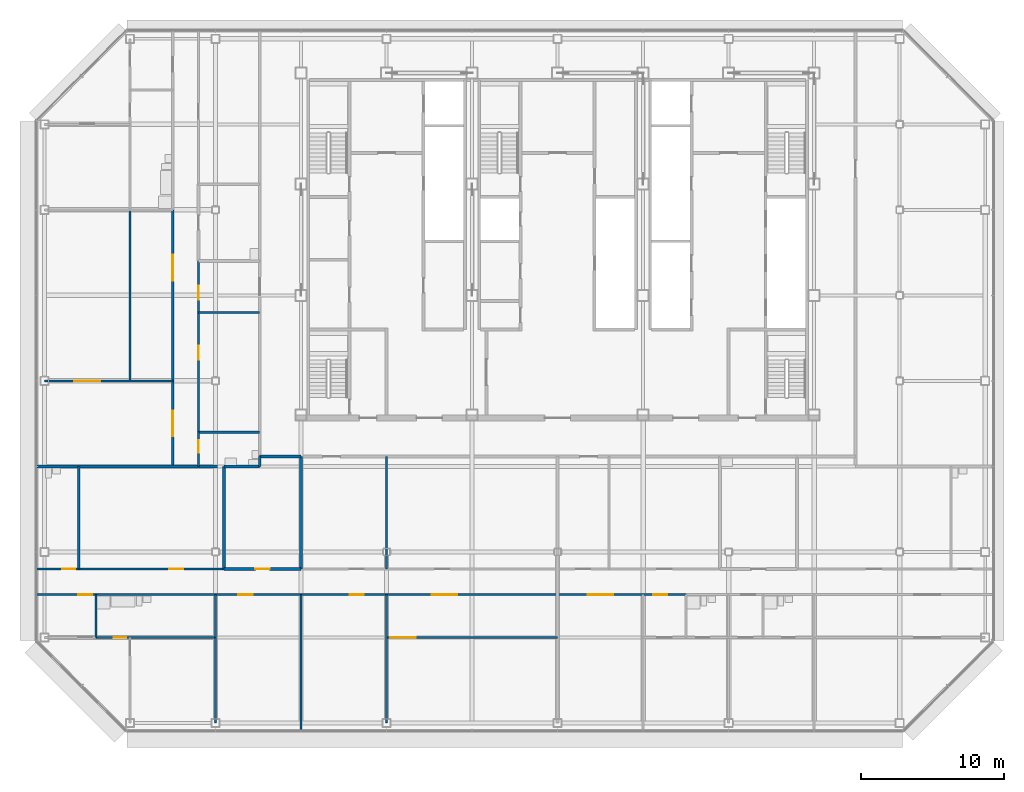
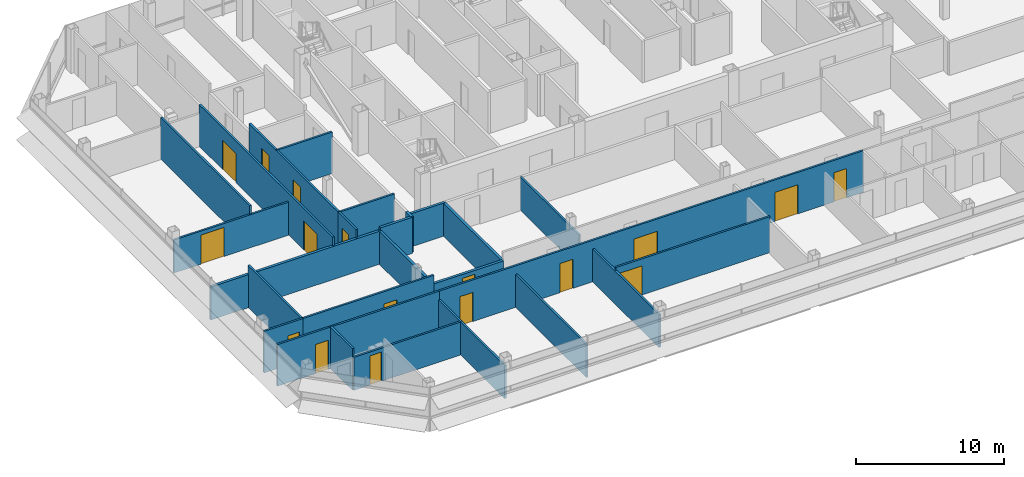
# One storey, part 21 of 27: 28 walls, 17 doors, 17 openings.
"""IFC4 building model written with IfcOpenShell, lengths in metres."""

from ifc_helpers import new_model, si_unit, direction, frame, frame_2d, origin, place, context, subcontext, project, spatial, rectangle, extrude, material, layer, layer_set, type_object, element, fill, save


model = new_model("IFC4")

# Units and contexts
model_context = context("Model", 3, precision=1e-05, world=origin(), true_north=direction((0.0, 1.0)))
body_context = subcontext(model_context, "Body", "Model", "MODEL_VIEW")
ifc_project = project(units=[si_unit("LENGTHUNIT", "METRE"), si_unit("AREAUNIT", "SQUARE_METRE"), si_unit("VOLUMEUNIT", "CUBIC_METRE"), si_unit("PLANEANGLEUNIT", "RADIAN"), si_unit("MASSUNIT", "GRAM", prefix="KILO")], contexts=[model_context])

# Site, building, storey
site_placement = place(None, origin())
site = spatial("IfcSite", under=ifc_project, at=site_placement, CompositionType="ELEMENT")
building_placement = place(site_placement, origin())
building = spatial("IfcBuilding", under=site, at=building_placement, Name="Sorahane Residences", CompositionType="ELEMENT")
storey_placement = place(building_placement, frame((0.0, 0.0, 246.800048828125)))
storey = spatial("IfcBuildingStorey", under=building, at=storey_placement, Name="L58", CompositionType="ELEMENT", Elevation=246.800048828125)

# Walls
ifc_material_1 = material(Name="Concrete blockwork C20 wall", Category="masonry")
ifc_layer_1 = layer(ifc_material_1, 0.199951171875)
ifc_layer_set_1 = layer_set([ifc_layer_1], Name="Kitchen wall 200 EI 180")
wall_type_1 = type_object("IfcWallType", Name="Kitchen wall 200 EI 180", PredefinedType="SOLIDWALL", material=ifc_layer_set_1)
wall_1_placement = place(storey_placement, frame((0.60009765625, 10.800048828125, 0.0), z_axis=(0.0, 0.0, 1.0), x_axis=(0.0, 1.0, 0.0)))
element("IfcWall", 1, at=wall_1_placement, inside=storey, type_object=wall_type_1, Name="L58 kitchen wall", PredefinedType="SOLIDWALL", context=body_context, shape_type="SweptSolid", body=[
    extrude(rectangle(XDim=7.199951171875, YDim=0.199951171875, at=frame_2d((3.60009765625, 0.0))), origin(), (0.0, 0.0, 1.0), 2.719970703125),
])
wall_2_placement = place(storey_placement, frame((3.10009765625, 18.0, 0.0), z_axis=(0.0, 0.0, 1.0), x_axis=(0.0, 1.0, 0.0)))
element("IfcWall", 2, at=wall_2_placement, inside=storey, type_object=wall_type_1, Name="L58 kitchen wall", PredefinedType="SOLIDWALL", context=body_context, shape_type="SweptSolid", body=[
    extrude(rectangle(XDim=0.699951171875, YDim=0.199951171875, at=frame_2d((0.35009765625, 0.0))), origin(), (0.0, 0.0, 1.0), 2.969970703125),
])
wall_3_placement = place(storey_placement, frame((6.0, 10.800048828125, 0.0), z_axis=(0.0, 0.0, 1.0), x_axis=(0.0, 1.0, 0.0)))
element("IfcWall", 3, at=wall_3_placement, inside=storey, type_object=wall_type_1, Name="L58 kitchen wall", PredefinedType="SOLIDWALL", context=body_context, shape_type="SweptSolid", body=[
    extrude(rectangle(XDim=7.89990234375, YDim=0.199951171875, at=frame_2d((3.949951171875, 0.0))), origin(), (0.0, 0.0, 1.0), 2.719970703125),
])

# Wall, opening, door
wall_4_placement = place(storey_placement, frame((0.60009765625, 10.800048828125, 0.0), z_axis=(0.0, 0.0, 1.0), x_axis=(1.0, 0.0, 0.0)))
wall_4 = element("IfcWall", 4, at=wall_4_placement, inside=storey, type_object=wall_type_1, Name="L58 kitchen wall", PredefinedType="SOLIDWALL", context=body_context, shape_type="SweptSolid", body=[
    extrude(rectangle(XDim=5.39990234375, YDim=0.199951171875, at=frame_2d((2.699951171875, 0.0))), origin(), (0.0, 0.0, 1.0), 2.719970703125),
])
opening_1_placement = place(wall_4_placement, frame((2.199951171875, 0.0, 0.0)))
opening_1 = element("IfcOpeningElement", 5, at=opening_1_placement, cuts=wall_4, Name="Opening L58-04", PredefinedType="OPENING", context=body_context, shape_type="SweptSolid", body=[
    extrude(rectangle(XDim=1.0, YDim=2.39990234375, at=frame_2d((0.5, 1.199951171875))), frame((0.0, 0.10986328125, 0.0), z_axis=(0.0, -1.0, 0.0), x_axis=(1.0, 0.0, 0.0)), (0.0, 0.0, 1.0), 0.219970703125),
])
ifc_material_2 = material(Name="Steel", Category="steel")
door_type_1 = type_object("IfcDoorType", Name="Kitchen door 1000x2400 FD120", OperationType="NOTDEFINED", PredefinedType="DOOR", material=ifc_material_2)
door_1_placement = place(opening_1_placement, origin())
door_1 = element("IfcDoor", 6, at=door_1_placement, inside=storey, type_object=door_type_1, Name="Kitchen door L58-04", OperationType="SINGLE_SWING_RIGHT", OverallHeight=2.39990234375, OverallWidth=1.0, PredefinedType="DOOR", context=body_context, shape_type="SweptSolid", body=[
    extrude(rectangle(XDim=1.0, YDim=2.39990234375, at=frame_2d((0.5, 1.199951171875))), frame((0.0, 0.02490234375, 0.0), z_axis=(0.0, -1.0, 0.0), x_axis=(1.0, 0.0, 0.0)), (0.0, 0.0, 1.0), 0.050048828125),
])
fill(opening_1, door_1)

# Walls
wall_5_placement = place(storey_placement, frame((0.60009765625, 18.0, 0.0), z_axis=(0.0, 0.0, 1.0), x_axis=(1.0, 0.0, 0.0)))
element("IfcWall", 7, at=wall_5_placement, inside=storey, type_object=wall_type_1, Name="L58 kitchen wall", PredefinedType="SOLIDWALL", context=body_context, shape_type="SweptSolid", body=[
    extrude(rectangle(XDim=2.5, YDim=0.199951171875, at=frame_2d((1.25, 0.0))), origin(), (0.0, 0.0, 1.0), 2.969970703125),
])
wall_6_placement = place(storey_placement, frame((3.10009765625, 18.699951171875, 0.0), z_axis=(0.0, 0.0, 1.0), x_axis=(1.0, 0.0, 0.0)))
element("IfcWall", 8, at=wall_6_placement, inside=storey, type_object=wall_type_1, Name="L58 kitchen wall", PredefinedType="SOLIDWALL", context=body_context, shape_type="SweptSolid", body=[
    extrude(rectangle(XDim=2.89990234375, YDim=0.199951171875, at=frame_2d((1.449951171875, 0.0))), origin(), (0.0, 0.0, 1.0), 2.719970703125),
])

# Wall, openings, doors
ifc_material_3 = material(Name="Gypsum board partition on steel studs", Category="steel")
ifc_layer_2 = layer(ifc_material_3, 0.14990234375)
ifc_layer_set_2 = layer_set([ifc_layer_2], Name="Partition 150 EI 90")
wall_type_2 = type_object("IfcWallType", Name="Partition 150 EI 90", PredefinedType="PARTITIONING", material=ifc_layer_set_2)
wall_7_placement = place(storey_placement, frame((-1.199951171875, 20.39990234375, 0.0), z_axis=(0.0, 0.0, 1.0), x_axis=(0.0, 1.0, 0.0)))
wall_7 = element("IfcWall", 9, at=wall_7_placement, inside=storey, type_object=wall_type_2, Name="L58 partition", PredefinedType="PARTITIONING", context=body_context, shape_type="SweptSolid", body=[
    extrude(rectangle(XDim=12.0, YDim=0.14990234375, at=frame_2d((6.0, 0.0))), origin(), (0.0, 0.0, 1.0), 3.419921875),
])
opening_2_placement = place(wall_7_placement, frame((9.280029296875, 0.0, 0.0)))
opening_2 = element("IfcOpeningElement", 10, at=opening_2_placement, cuts=wall_7, Name="Opening L58-28", PredefinedType="OPENING", context=body_context, shape_type="SweptSolid", body=[
    extrude(rectangle(XDim=1.0, YDim=2.39990234375, at=frame_2d((0.5, 1.199951171875))), frame((0.0, 0.0849609375, 0.0), z_axis=(0.0, -1.0, 0.0), x_axis=(1.0, 0.0, 0.0)), (0.0, 0.0, 1.0), 0.169921875),
])
opening_3_placement = place(wall_7_placement, frame((5.080078125, 0.0, 0.0)))
opening_3 = element("IfcOpeningElement", 11, at=opening_3_placement, cuts=wall_7, Name="Opening L58-30", PredefinedType="OPENING", context=body_context, shape_type="SweptSolid", body=[
    extrude(rectangle(XDim=1.0, YDim=2.39990234375, at=frame_2d((0.5, 1.199951171875))), frame((0.0, 0.0849609375, 0.0), z_axis=(0.0, -1.0, 0.0), x_axis=(1.0, 0.0, 0.0)), (0.0, 0.0, 1.0), 0.169921875),
])
ifc_material_4 = material(Name="Timber veneered fire door", Category="wood")
door_type_2 = type_object("IfcDoorType", Name="Room door 1000x2400 FD30", OperationType="NOTDEFINED", PredefinedType="DOOR", material=ifc_material_4)
door_2_placement = place(opening_2_placement, origin())
door_2 = element("IfcDoor", 12, at=door_2_placement, inside=storey, type_object=door_type_2, Name="Room door L58-28", OperationType="SINGLE_SWING_LEFT", OverallHeight=2.39990234375, OverallWidth=1.0, PredefinedType="DOOR", context=body_context, shape_type="SweptSolid", body=[
    extrude(rectangle(XDim=1.0, YDim=2.39990234375, at=frame_2d((0.5, 1.199951171875))), frame((0.0, 0.02490234375, 0.0), z_axis=(0.0, -1.0, 0.0), x_axis=(1.0, 0.0, 0.0)), (0.0, 0.0, 1.0), 0.050048828125),
])
fill(opening_2, door_2)
door_3_placement = place(opening_3_placement, frame((1.0, 0.0, 0.0), z_axis=(0.0, 0.0, 1.0), x_axis=(-1.0, 0.0, 0.0)))
door_3 = element("IfcDoor", 13, at=door_3_placement, inside=storey, type_object=door_type_2, Name="Room door L58-30", OperationType="SINGLE_SWING_LEFT", OverallHeight=2.39990234375, OverallWidth=1.0, PredefinedType="DOOR", context=body_context, shape_type="SweptSolid", body=[
    extrude(rectangle(XDim=1.0, YDim=2.39990234375, at=frame_2d((0.5, 1.199951171875))), frame((0.0, 0.02490234375, 0.0), z_axis=(0.0, -1.0, 0.0), x_axis=(1.0, 0.0, 0.0)), (0.0, 0.0, 1.0), 0.050048828125),
])
fill(opening_3, door_3)

wall_8_placement = place(storey_placement, frame((-3.0, 18.0, 0.0), z_axis=(0.0, 0.0, 1.0), x_axis=(0.0, 1.0, 0.0)))
wall_8 = element("IfcWall", 14, at=wall_8_placement, inside=storey, type_object=wall_type_2, Name="L58 partition", PredefinedType="PARTITIONING", context=body_context, shape_type="SweptSolid", body=[
    extrude(rectangle(XDim=18.0, YDim=0.14990234375, at=frame_2d((9.0, 0.0))), origin(), (0.0, 0.0, 1.0), 3.419921875),
])
opening_4_placement = place(wall_8_placement, frame((2.10009765625, 0.0, 0.0)))
opening_4 = element("IfcOpeningElement", 15, at=opening_4_placement, cuts=wall_8, Name="Opening L58-33", PredefinedType="OPENING", context=body_context, shape_type="SweptSolid", body=[
    extrude(rectangle(XDim=1.800048828125, YDim=2.39990234375, at=frame_2d((0.89990234375, 1.199951171875))), frame((0.0, 0.0849609375, 0.0), z_axis=(0.0, -1.0, 0.0), x_axis=(1.0, 0.0, 0.0)), (0.0, 0.0, 1.0), 0.169921875),
])
opening_5_placement = place(wall_8_placement, frame((13.0400390625, 0.0, 0.0)))
opening_5 = element("IfcOpeningElement", 16, at=opening_5_placement, cuts=wall_8, Name="Opening L58-35", PredefinedType="OPENING", context=body_context, shape_type="SweptSolid", body=[
    extrude(rectangle(XDim=1.800048828125, YDim=2.39990234375, at=frame_2d((0.89990234375, 1.199951171875))), frame((0.0, 0.0849609375, 0.0), z_axis=(0.0, -1.0, 0.0), x_axis=(1.0, 0.0, 0.0)), (0.0, 0.0, 1.0), 0.169921875),
])
ifc_material_5 = material(Name="Timber veneered fire door", Category="wood")
door_type_3 = type_object("IfcDoorType", Name="Double door 1800x2400 FD30", OperationType="NOTDEFINED", PredefinedType="DOOR", material=ifc_material_5)
door_4_placement = place(opening_4_placement, origin())
door_4 = element("IfcDoor", 17, at=door_4_placement, inside=storey, type_object=door_type_3, Name="Double door L58-33", OperationType="SINGLE_SWING_LEFT", OverallHeight=2.39990234375, OverallWidth=1.800048828125, PredefinedType="DOOR", context=body_context, shape_type="SweptSolid", body=[
    extrude(rectangle(XDim=1.800048828125, YDim=2.39990234375, at=frame_2d((0.89990234375, 1.199951171875))), frame((0.0, 0.02490234375, 0.0), z_axis=(0.0, -1.0, 0.0), x_axis=(1.0, 0.0, 0.0)), (0.0, 0.0, 1.0), 0.050048828125),
])
fill(opening_4, door_4)
door_5_placement = place(opening_5_placement, origin())
door_5 = element("IfcDoor", 18, at=door_5_placement, inside=storey, type_object=door_type_3, Name="Double door L58-35", OperationType="SINGLE_SWING_RIGHT", OverallHeight=2.39990234375, OverallWidth=1.800048828125, PredefinedType="DOOR", context=body_context, shape_type="SweptSolid", body=[
    extrude(rectangle(XDim=1.800048828125, YDim=2.39990234375, at=frame_2d((0.89990234375, 1.199951171875))), frame((0.0, 0.02490234375, 0.0), z_axis=(0.0, -1.0, 0.0), x_axis=(1.0, 0.0, 0.0)), (0.0, 0.0, 1.0), 0.050048828125),
])
fill(opening_5, door_5)

# Walls
wall_9_placement = place(storey_placement, frame((-6.0, 24.0, 0.0), z_axis=(0.0, 0.0, 1.0), x_axis=(0.0, 1.0, 0.0)))
element("IfcWall", 19, at=wall_9_placement, inside=storey, type_object=wall_type_2, Name="L58 partition", PredefinedType="PARTITIONING", context=body_context, shape_type="SweptSolid", body=[
    extrude(rectangle(XDim=12.0, YDim=0.14990234375, at=frame_2d((6.0, 0.0))), origin(), (0.0, 0.0, 1.0), 3.419921875),
])
wall_10_placement = place(storey_placement, frame((0.0, 0.0, 0.0), z_axis=(0.0, 0.0, 1.0), x_axis=(0.0, 1.0, 0.0)))
element("IfcWall", 20, at=wall_10_placement, inside=storey, type_object=wall_type_2, Name="L58 partition", PredefinedType="PARTITIONING", context=body_context, shape_type="SweptSolid", body=[
    extrude(rectangle(XDim=6.0, YDim=0.14990234375, at=frame_2d((3.0, 0.0))), origin(), (0.0, 0.0, 1.0), 2.719970703125),
])
wall_11_placement = place(storey_placement, frame((12.0, 0.0, 0.0), z_axis=(0.0, 0.0, 1.0), x_axis=(0.0, 1.0, 0.0)))
element("IfcWall", 21, at=wall_11_placement, inside=storey, type_object=wall_type_2, Name="L58 partition", PredefinedType="PARTITIONING", context=body_context, shape_type="SweptSolid", body=[
    extrude(rectangle(XDim=9.0, YDim=0.14990234375, at=frame_2d((4.5, 0.0))), origin(), (0.0, 0.0, 1.0), 2.719970703125),
])
wall_12_placement = place(storey_placement, frame((12.0, 10.800048828125, 0.0), z_axis=(0.0, 0.0, 1.0), x_axis=(0.0, 1.0, 0.0)))
element("IfcWall", 22, at=wall_12_placement, inside=storey, type_object=wall_type_2, Name="L58 partition", PredefinedType="PARTITIONING", context=body_context, shape_type="SweptSolid", body=[
    extrude(rectangle(XDim=7.89990234375, YDim=0.14990234375, at=frame_2d((3.949951171875, 0.0))), origin(), (0.0, 0.0, 1.0), 2.719970703125),
])
wall_13_placement = place(storey_placement, frame((6.0, -0.60009765625, 0.0), z_axis=(0.0, 0.0, 1.0), x_axis=(0.0, 1.0, 0.0)))
element("IfcWall", 23, at=wall_13_placement, inside=storey, type_object=wall_type_2, Name="L58 partition", PredefinedType="PARTITIONING", context=body_context, shape_type="SweptSolid", body=[
    extrude(rectangle(XDim=9.60009765625, YDim=0.14990234375, at=frame_2d((4.800048828125, 0.0))), origin(), (0.0, 0.0, 1.0), 2.719970703125),
])

# Wall, opening, door
wall_14_placement = place(storey_placement, frame((-9.60009765625, 10.800048828125, 0.0), z_axis=(0.0, 0.0, 1.0), x_axis=(1.0, 0.0, 0.0)))
wall_14 = element("IfcWall", 24, at=wall_14_placement, inside=storey, type_object=wall_type_2, Name="L58 partition", PredefinedType="PARTITIONING", context=body_context, shape_type="SweptSolid", body=[
    extrude(rectangle(XDim=10.2001953125, YDim=0.14990234375, at=frame_2d((5.10009765625, 0.0))), origin(), (0.0, 0.0, 1.0), 3.419921875),
])
opening_6_placement = place(wall_14_placement, frame((6.340087890625, 0.0, 0.0)))
opening_6 = element("IfcOpeningElement", 25, at=opening_6_placement, cuts=wall_14, Name="Opening L58-03", PredefinedType="OPENING", context=body_context, shape_type="SweptSolid", body=[
    extrude(rectangle(XDim=1.0, YDim=2.39990234375, at=frame_2d((0.5, 1.199951171875))), frame((0.0, 0.0849609375, 0.0), z_axis=(0.0, -1.0, 0.0), x_axis=(1.0, 0.0, 0.0)), (0.0, 0.0, 1.0), 0.169921875),
])
door_6_placement = place(opening_6_placement, origin())
door_6 = element("IfcDoor", 26, at=door_6_placement, inside=storey, type_object=door_type_2, Name="Room door L58-03", OperationType="SINGLE_SWING_RIGHT", OverallHeight=2.39990234375, OverallWidth=1.0, PredefinedType="DOOR", context=body_context, shape_type="SweptSolid", body=[
    extrude(rectangle(XDim=1.0, YDim=2.39990234375, at=frame_2d((0.5, 1.199951171875))), frame((0.0, 0.02490234375, 0.0), z_axis=(0.0, -1.0, 0.0), x_axis=(1.0, 0.0, 0.0)), (0.0, 0.0, 1.0), 0.050048828125),
])
fill(opening_6, door_6)

wall_15_placement = place(storey_placement, frame((-12.0, 24.0, 0.0), z_axis=(0.0, 0.0, 1.0), x_axis=(1.0, 0.0, 0.0)))
wall_15 = element("IfcWall", 27, at=wall_15_placement, inside=storey, type_object=wall_type_2, Name="L58 partition", PredefinedType="PARTITIONING", context=body_context, shape_type="SweptSolid", body=[
    extrude(rectangle(XDim=9.0, YDim=0.14990234375, at=frame_2d((4.5, 0.0))), origin(), (0.0, 0.0, 1.0), 2.719970703125),
])
opening_7_placement = place(wall_15_placement, frame((2.10009765625, 0.0, 0.0)))
opening_7 = element("IfcOpeningElement", 28, at=opening_7_placement, cuts=wall_15, Name="Opening L58-34", PredefinedType="OPENING", context=body_context, shape_type="SweptSolid", body=[
    extrude(rectangle(XDim=1.800048828125, YDim=2.39990234375, at=frame_2d((0.89990234375, 1.199951171875))), frame((0.0, 0.0849609375, 0.0), z_axis=(0.0, -1.0, 0.0), x_axis=(1.0, 0.0, 0.0)), (0.0, 0.0, 1.0), 0.169921875),
])
door_7_placement = place(opening_7_placement, origin())
door_7 = element("IfcDoor", 29, at=door_7_placement, inside=storey, type_object=door_type_3, Name="Double door L58-34", OperationType="SINGLE_SWING_LEFT", OverallHeight=2.39990234375, OverallWidth=1.800048828125, PredefinedType="DOOR", context=body_context, shape_type="SweptSolid", body=[
    extrude(rectangle(XDim=1.800048828125, YDim=2.39990234375, at=frame_2d((0.89990234375, 1.199951171875))), frame((0.0, 0.02490234375, 0.0), z_axis=(0.0, -1.0, 0.0), x_axis=(1.0, 0.0, 0.0)), (0.0, 0.0, 1.0), 0.050048828125),
])
fill(opening_7, door_7)

# Wall
wall_16_placement = place(storey_placement, frame((-1.199951171875, 28.800048828125, 0.0), z_axis=(0.0, 0.0, 1.0), x_axis=(1.0, 0.0, 0.0)))
element("IfcWall", 30, at=wall_16_placement, inside=storey, type_object=wall_type_2, Name="L58 partition", PredefinedType="PARTITIONING", context=body_context, shape_type="SweptSolid", body=[
    extrude(rectangle(XDim=4.300048828125, YDim=0.14990234375, at=frame_2d((2.14990234375, 0.0))), origin(), (0.0, 0.0, 1.0), 3.419921875),
])

# Wall, opening, door
wall_17_placement = place(storey_placement, frame((12.0, 6.0, 0.0), z_axis=(0.0, 0.0, 1.0), x_axis=(1.0, 0.0, 0.0)))
wall_17 = element("IfcWall", 31, at=wall_17_placement, inside=storey, type_object=wall_type_2, Name="L58 partition", PredefinedType="PARTITIONING", context=body_context, shape_type="SweptSolid", body=[
    extrude(rectangle(XDim=12.0, YDim=0.14990234375, at=frame_2d((6.0, 0.0))), origin(), (0.0, 0.0, 1.0), 2.969970703125),
])
opening_8_placement = place(wall_17_placement, frame((0.25, 0.0, 0.0)))
opening_8 = element("IfcOpeningElement", 32, at=opening_8_placement, cuts=wall_17, Name="Opening L58-13", PredefinedType="OPENING", context=body_context, shape_type="SweptSolid", body=[
    extrude(rectangle(XDim=1.800048828125, YDim=2.39990234375, at=frame_2d((0.89990234375, 1.199951171875))), frame((0.0, 0.0849609375, 0.0), z_axis=(0.0, -1.0, 0.0), x_axis=(1.0, 0.0, 0.0)), (0.0, 0.0, 1.0), 0.169921875),
])
door_8_placement = place(opening_8_placement, frame((1.800048828125, 0.0, 0.0), z_axis=(0.0, 0.0, 1.0), x_axis=(-1.0, 0.0, 0.0)))
door_8 = element("IfcDoor", 33, at=door_8_placement, inside=storey, type_object=door_type_3, Name="Double door L58-13", OperationType="SINGLE_SWING_RIGHT", OverallHeight=2.39990234375, OverallWidth=1.800048828125, PredefinedType="DOOR", context=body_context, shape_type="SweptSolid", body=[
    extrude(rectangle(XDim=1.800048828125, YDim=2.39990234375, at=frame_2d((0.89990234375, 1.199951171875))), frame((0.0, 0.02490234375, 0.0), z_axis=(0.0, -1.0, 0.0), x_axis=(1.0, 0.0, 0.0)), (0.0, 0.0, 1.0), 0.050048828125),
])
fill(opening_8, door_8)

wall_18_placement = place(storey_placement, frame((-12.60009765625, 9.0, 0.0), z_axis=(0.0, 0.0, 1.0), x_axis=(1.0, 0.0, 0.0)))
wall_18 = element("IfcWall", 34, at=wall_18_placement, inside=storey, type_object=wall_type_2, Name="L58 partition", PredefinedType="PARTITIONING", context=body_context, shape_type="SweptSolid", body=[
    extrude(rectangle(XDim=4.2001953125, YDim=0.14990234375, at=frame_2d((2.10009765625, 0.0))), origin(), (0.0, 0.0, 1.0), 3.419921875),
])
opening_9_placement = place(wall_18_placement, frame((2.949951171875, 0.0, 0.0)))
opening_9 = element("IfcOpeningElement", 35, at=opening_9_placement, cuts=wall_18, Name="Opening L58-06", PredefinedType="OPENING", context=body_context, shape_type="SweptSolid", body=[
    extrude(rectangle(XDim=1.0, YDim=2.39990234375, at=frame_2d((0.5, 1.199951171875))), frame((0.0, 0.0849609375, 0.0), z_axis=(0.0, -1.0, 0.0), x_axis=(1.0, 0.0, 0.0)), (0.0, 0.0, 1.0), 0.169921875),
])
door_9_placement = place(opening_9_placement, frame((1.0, 0.0, 0.0), z_axis=(0.0, 0.0, 1.0), x_axis=(-1.0, 0.0, 0.0)))
door_9 = element("IfcDoor", 36, at=door_9_placement, inside=storey, type_object=door_type_2, Name="Room door L58-06", OperationType="SINGLE_SWING_LEFT", OverallHeight=2.39990234375, OverallWidth=1.0, PredefinedType="DOOR", context=body_context, shape_type="SweptSolid", body=[
    extrude(rectangle(XDim=1.0, YDim=2.39990234375, at=frame_2d((0.5, 1.199951171875))), frame((0.0, 0.02490234375, 0.0), z_axis=(0.0, -1.0, 0.0), x_axis=(1.0, 0.0, 0.0)), (0.0, 0.0, 1.0), 0.050048828125),
])
fill(opening_9, door_9)

# Wall, openings, doors
wall_19_placement = place(storey_placement, frame((0.0, 9.0, 0.0), z_axis=(0.0, 0.0, 1.0), x_axis=(1.0, 0.0, 0.0)))
wall_19 = element("IfcWall", 37, at=wall_19_placement, inside=storey, type_object=wall_type_2, Name="L58 partition", PredefinedType="PARTITIONING", context=body_context, shape_type="SweptSolid", body=[
    extrude(rectangle(XDim=33.0, YDim=0.14990234375, at=frame_2d((16.5, 0.0))), origin(), (0.0, 0.0, 1.0), 3.419921875),
])
opening_10_placement = place(wall_19_placement, frame((1.60009765625, 0.0, 0.0)))
opening_10 = element("IfcOpeningElement", 38, at=opening_10_placement, cuts=wall_19, Name="Opening L58-07", PredefinedType="OPENING", context=body_context, shape_type="SweptSolid", body=[
    extrude(rectangle(XDim=1.0, YDim=2.39990234375, at=frame_2d((0.5, 1.199951171875))), frame((0.0, 0.0849609375, 0.0), z_axis=(0.0, -1.0, 0.0), x_axis=(1.0, 0.0, 0.0)), (0.0, 0.0, 1.0), 0.169921875),
])
opening_11_placement = place(wall_19_placement, frame((9.39990234375, 0.0, 0.0)))
opening_11 = element("IfcOpeningElement", 39, at=opening_11_placement, cuts=wall_19, Name="Opening L58-08", PredefinedType="OPENING", context=body_context, shape_type="SweptSolid", body=[
    extrude(rectangle(XDim=1.0, YDim=2.39990234375, at=frame_2d((0.5, 1.199951171875))), frame((0.0, 0.0849609375, 0.0), z_axis=(0.0, -1.0, 0.0), x_axis=(1.0, 0.0, 0.0)), (0.0, 0.0, 1.0), 0.169921875),
])
opening_12_placement = place(wall_19_placement, frame((15.159912109375, 0.0, 0.0)))
opening_12 = element("IfcOpeningElement", 40, at=opening_12_placement, cuts=wall_19, Name="Opening L58-09", PredefinedType="OPENING", context=body_context, shape_type="SweptSolid", body=[
    extrude(rectangle(XDim=1.800048828125, YDim=2.39990234375, at=frame_2d((0.89990234375, 1.199951171875))), frame((0.0, 0.0849609375, 0.0), z_axis=(0.0, -1.0, 0.0), x_axis=(1.0, 0.0, 0.0)), (0.0, 0.0, 1.0), 0.169921875),
])
opening_13_placement = place(wall_19_placement, frame((26.10009765625, 0.0, 0.0)))
opening_13 = element("IfcOpeningElement", 41, at=opening_13_placement, cuts=wall_19, Name="Opening L58-19", PredefinedType="OPENING", context=body_context, shape_type="SweptSolid", body=[
    extrude(rectangle(XDim=1.800048828125, YDim=2.39990234375, at=frame_2d((0.89990234375, 1.199951171875))), frame((0.0, 0.0849609375, 0.0), z_axis=(0.0, -1.0, 0.0), x_axis=(1.0, 0.0, 0.0)), (0.0, 0.0, 1.0), 0.169921875),
])
opening_14_placement = place(wall_19_placement, frame((30.699951171875, 0.0, 0.0)))
opening_14 = element("IfcOpeningElement", 42, at=opening_14_placement, cuts=wall_19, Name="Opening L58-20", PredefinedType="OPENING", context=body_context, shape_type="SweptSolid", body=[
    extrude(rectangle(XDim=1.0, YDim=2.39990234375, at=frame_2d((0.5, 1.199951171875))), frame((0.0, 0.0849609375, 0.0), z_axis=(0.0, -1.0, 0.0), x_axis=(1.0, 0.0, 0.0)), (0.0, 0.0, 1.0), 0.169921875),
])
door_10_placement = place(opening_12_placement, frame((1.800048828125, 0.0, 0.0), z_axis=(0.0, 0.0, 1.0), x_axis=(-1.0, 0.0, 0.0)))
door_10 = element("IfcDoor", 43, at=door_10_placement, inside=storey, type_object=door_type_3, Name="Double door L58-09", OperationType="SINGLE_SWING_RIGHT", OverallHeight=2.39990234375, OverallWidth=1.800048828125, PredefinedType="DOOR", context=body_context, shape_type="SweptSolid", body=[
    extrude(rectangle(XDim=1.800048828125, YDim=2.39990234375, at=frame_2d((0.89990234375, 1.199951171875))), frame((0.0, 0.02490234375, 0.0), z_axis=(0.0, -1.0, 0.0), x_axis=(1.0, 0.0, 0.0)), (0.0, 0.0, 1.0), 0.050048828125),
])
fill(opening_12, door_10)
door_11_placement = place(opening_13_placement, frame((1.800048828125, 0.0, 0.0), z_axis=(0.0, 0.0, 1.0), x_axis=(-1.0, 0.0, 0.0)))
door_11 = element("IfcDoor", 44, at=door_11_placement, inside=storey, type_object=door_type_3, Name="Double door L58-19", OperationType="SINGLE_SWING_RIGHT", OverallHeight=2.39990234375, OverallWidth=1.800048828125, PredefinedType="DOOR", context=body_context, shape_type="SweptSolid", body=[
    extrude(rectangle(XDim=1.800048828125, YDim=2.39990234375, at=frame_2d((0.89990234375, 1.199951171875))), frame((0.0, 0.02490234375, 0.0), z_axis=(0.0, -1.0, 0.0), x_axis=(1.0, 0.0, 0.0)), (0.0, 0.0, 1.0), 0.050048828125),
])
fill(opening_13, door_11)
door_12_placement = place(opening_10_placement, frame((1.0, 0.0, 0.0), z_axis=(0.0, 0.0, 1.0), x_axis=(-1.0, 0.0, 0.0)))
door_12 = element("IfcDoor", 45, at=door_12_placement, inside=storey, type_object=door_type_2, Name="Room door L58-07", OperationType="SINGLE_SWING_LEFT", OverallHeight=2.39990234375, OverallWidth=1.0, PredefinedType="DOOR", context=body_context, shape_type="SweptSolid", body=[
    extrude(rectangle(XDim=1.0, YDim=2.39990234375, at=frame_2d((0.5, 1.199951171875))), frame((0.0, 0.02490234375, 0.0), z_axis=(0.0, -1.0, 0.0), x_axis=(1.0, 0.0, 0.0)), (0.0, 0.0, 1.0), 0.050048828125),
])
fill(opening_10, door_12)
door_13_placement = place(opening_11_placement, frame((1.0, 0.0, 0.0), z_axis=(0.0, 0.0, 1.0), x_axis=(-1.0, 0.0, 0.0)))
door_13 = element("IfcDoor", 46, at=door_13_placement, inside=storey, type_object=door_type_2, Name="Room door L58-08", OperationType="SINGLE_SWING_LEFT", OverallHeight=2.39990234375, OverallWidth=1.0, PredefinedType="DOOR", context=body_context, shape_type="SweptSolid", body=[
    extrude(rectangle(XDim=1.0, YDim=2.39990234375, at=frame_2d((0.5, 1.199951171875))), frame((0.0, 0.02490234375, 0.0), z_axis=(0.0, -1.0, 0.0), x_axis=(1.0, 0.0, 0.0)), (0.0, 0.0, 1.0), 0.050048828125),
])
fill(opening_11, door_13)
door_14_placement = place(opening_14_placement, frame((1.0, 0.0, 0.0), z_axis=(0.0, 0.0, 1.0), x_axis=(-1.0, 0.0, 0.0)))
door_14 = element("IfcDoor", 47, at=door_14_placement, inside=storey, type_object=door_type_2, Name="Room door L58-20", OperationType="SINGLE_SWING_RIGHT", OverallHeight=2.39990234375, OverallWidth=1.0, PredefinedType="DOOR", context=body_context, shape_type="SweptSolid", body=[
    extrude(rectangle(XDim=1.0, YDim=2.39990234375, at=frame_2d((0.5, 1.199951171875))), frame((0.0, 0.02490234375, 0.0), z_axis=(0.0, -1.0, 0.0), x_axis=(1.0, 0.0, 0.0)), (0.0, 0.0, 1.0), 0.050048828125),
])
fill(opening_14, door_14)

# Wall
ifc_material_6 = material(Name="Concrete blockwork C20 wall", Category="masonry")
ifc_layer_3 = layer(ifc_material_6, 0.199951171875)
ifc_layer_set_3 = layer_set([ifc_layer_3], Name="Party wall 200 EI 120")
wall_type_3 = type_object("IfcWallType", Name="Party wall 200 EI 120", PredefinedType="SOLIDWALL", material=ifc_layer_set_3)
wall_20_placement = place(storey_placement, frame((-12.60009765625, 18.0, 0.0), z_axis=(0.0, 0.0, 1.0), x_axis=(1.0, 0.0, 0.0)))
element("IfcWall", 48, at=wall_20_placement, inside=storey, type_object=wall_type_3, Name="L58 party wall", PredefinedType="SOLIDWALL", context=body_context, shape_type="SweptSolid", body=[
    extrude(rectangle(XDim=13.2001953125, YDim=0.199951171875, at=frame_2d((6.60009765625, 0.0))), origin(), (0.0, 0.0, 1.0), 2.719970703125),
])

# Wall, opening, door
ifc_material_7 = material(Name="Gypsum board partition on steel studs", Category="steel")
ifc_layer_4 = layer(ifc_material_7, 0.14990234375)
ifc_layer_set_4 = layer_set([ifc_layer_4], Name="Wet wall 150 EI 90")
wall_type_4 = type_object("IfcWallType", Name="Wet wall 150 EI 90", PredefinedType="PARTITIONING", material=ifc_layer_set_4)
wall_21_placement = place(storey_placement, frame((-1.199951171875, 18.0, 0.0), z_axis=(0.0, 0.0, 1.0), x_axis=(0.0, 1.0, 0.0)))
wall_21 = element("IfcWall", 49, at=wall_21_placement, inside=storey, type_object=wall_type_4, Name="L58 wet wall", PredefinedType="PARTITIONING", context=body_context, shape_type="SweptSolid", body=[
    extrude(rectangle(XDim=2.39990234375, YDim=0.14990234375, at=frame_2d((1.199951171875, 0.0))), origin(), (0.0, 0.0, 1.0), 3.419921875),
])
opening_15_placement = place(wall_21_placement, frame((0.949951171875, 0.0, 0.0)))
opening_15 = element("IfcOpeningElement", 50, at=opening_15_placement, cuts=wall_21, Name="Opening L58-29", PredefinedType="OPENING", context=body_context, shape_type="SweptSolid", body=[
    extrude(rectangle(XDim=0.89990234375, YDim=2.39990234375, at=frame_2d((0.449951171875, 1.199951171875))), frame((0.0, 0.0849609375, 0.0), z_axis=(0.0, -1.0, 0.0), x_axis=(1.0, 0.0, 0.0)), (0.0, 0.0, 1.0), 0.169921875),
])
ifc_material_8 = material(Name="Timber veneered fire door", Category="wood")
door_type_4 = type_object("IfcDoorType", Name="Bathroom door 900x2400 FD30", OperationType="NOTDEFINED", PredefinedType="DOOR", material=ifc_material_8)
door_15_placement = place(opening_15_placement, origin())
door_15 = element("IfcDoor", 51, at=door_15_placement, inside=storey, type_object=door_type_4, Name="Bathroom door L58-29", OperationType="SINGLE_SWING_RIGHT", OverallHeight=2.39990234375, OverallWidth=0.89990234375, PredefinedType="DOOR", context=body_context, shape_type="SweptSolid", body=[
    extrude(rectangle(XDim=0.89990234375, YDim=2.39990234375, at=frame_2d((0.449951171875, 1.199951171875))), frame((0.0, 0.02490234375, 0.0), z_axis=(0.0, -1.0, 0.0), x_axis=(1.0, 0.0, 0.0)), (0.0, 0.0, 1.0), 0.050048828125),
])
fill(opening_15, door_15)

# Walls
wall_22_placement = place(storey_placement, frame((-8.39990234375, 6.0, 0.0), z_axis=(0.0, 0.0, 1.0), x_axis=(0.0, 1.0, 0.0)))
element("IfcWall", 52, at=wall_22_placement, inside=storey, type_object=wall_type_4, Name="L58 wet wall", PredefinedType="PARTITIONING", context=body_context, shape_type="SweptSolid", body=[
    extrude(rectangle(XDim=3.0, YDim=0.14990234375, at=frame_2d((1.5, 0.0))), origin(), (0.0, 0.0, 1.0), 3.419921875),
])
wall_23_placement = place(storey_placement, frame((-9.60009765625, 10.800048828125, 0.0), z_axis=(0.0, 0.0, 1.0), x_axis=(0.0, 1.0, 0.0)))
element("IfcWall", 53, at=wall_23_placement, inside=storey, type_object=wall_type_4, Name="L58 wet wall", PredefinedType="PARTITIONING", context=body_context, shape_type="SweptSolid", body=[
    extrude(rectangle(XDim=7.199951171875, YDim=0.14990234375, at=frame_2d((3.60009765625, 0.0))), origin(), (0.0, 0.0, 1.0), 3.419921875),
])
wall_24_placement = place(storey_placement, frame((0.0, 6.0, 0.0), z_axis=(0.0, 0.0, 1.0), x_axis=(0.0, 1.0, 0.0)))
element("IfcWall", 54, at=wall_24_placement, inside=storey, type_object=wall_type_4, Name="L58 wet wall", PredefinedType="PARTITIONING", context=body_context, shape_type="SweptSolid", body=[
    extrude(rectangle(XDim=3.0, YDim=0.14990234375, at=frame_2d((1.5, 0.0))), origin(), (0.0, 0.0, 1.0), 2.719970703125),
])

# Wall, opening, door
wall_25_placement = place(storey_placement, frame((-12.60009765625, 10.800048828125, 0.0), z_axis=(0.0, 0.0, 1.0), x_axis=(1.0, 0.0, 0.0)))
wall_25 = element("IfcWall", 55, at=wall_25_placement, inside=storey, type_object=wall_type_4, Name="L58 wet wall", PredefinedType="PARTITIONING", context=body_context, shape_type="SweptSolid", body=[
    extrude(rectangle(XDim=3.0, YDim=0.14990234375, at=frame_2d((1.5, 0.0))), origin(), (0.0, 0.0, 1.0), 3.419921875),
])
opening_16_placement = place(wall_25_placement, frame((1.85009765625, 0.0, 0.0)))
opening_16 = element("IfcOpeningElement", 56, at=opening_16_placement, cuts=wall_25, Name="Opening L58-02", PredefinedType="OPENING", context=body_context, shape_type="SweptSolid", body=[
    extrude(rectangle(XDim=0.89990234375, YDim=2.39990234375, at=frame_2d((0.449951171875, 1.199951171875))), frame((0.0, 0.0849609375, 0.0), z_axis=(0.0, -1.0, 0.0), x_axis=(1.0, 0.0, 0.0)), (0.0, 0.0, 1.0), 0.169921875),
])
door_16_placement = place(opening_16_placement, frame((0.89990234375, 0.0, 0.0), z_axis=(0.0, 0.0, 1.0), x_axis=(-1.0, 0.0, 0.0)))
door_16 = element("IfcDoor", 57, at=door_16_placement, inside=storey, type_object=door_type_4, Name="Bathroom door L58-02", OperationType="SINGLE_SWING_RIGHT", OverallHeight=2.39990234375, OverallWidth=0.89990234375, PredefinedType="DOOR", context=body_context, shape_type="SweptSolid", body=[
    extrude(rectangle(XDim=0.89990234375, YDim=2.39990234375, at=frame_2d((0.449951171875, 1.199951171875))), frame((0.0, 0.02490234375, 0.0), z_axis=(0.0, -1.0, 0.0), x_axis=(1.0, 0.0, 0.0)), (0.0, 0.0, 1.0), 0.050048828125),
])
fill(opening_16, door_16)

# Wall
wall_26_placement = place(storey_placement, frame((-1.199951171875, 20.39990234375, 0.0), z_axis=(0.0, 0.0, 1.0), x_axis=(1.0, 0.0, 0.0)))
element("IfcWall", 58, at=wall_26_placement, inside=storey, type_object=wall_type_4, Name="L58 wet wall", PredefinedType="PARTITIONING", context=body_context, shape_type="SweptSolid", body=[
    extrude(rectangle(XDim=4.300048828125, YDim=0.14990234375, at=frame_2d((2.14990234375, 0.0))), origin(), (0.0, 0.0, 1.0), 3.419921875),
])

# Wall, opening, door
wall_27_placement = place(storey_placement, frame((-8.39990234375, 6.0, 0.0), z_axis=(0.0, 0.0, 1.0), x_axis=(1.0, 0.0, 0.0)))
wall_27 = element("IfcWall", 59, at=wall_27_placement, inside=storey, type_object=wall_type_4, Name="L58 wet wall", PredefinedType="PARTITIONING", context=body_context, shape_type="SweptSolid", body=[
    extrude(rectangle(XDim=8.39990234375, YDim=0.14990234375, at=frame_2d((4.199951171875, 0.0))), origin(), (0.0, 0.0, 1.0), 2.719970703125),
])
opening_17_placement = place(wall_27_placement, frame((1.25, 0.0, 0.0)))
opening_17 = element("IfcOpeningElement", 60, at=opening_17_placement, cuts=wall_27, Name="Opening L58-12", PredefinedType="OPENING", context=body_context, shape_type="SweptSolid", body=[
    extrude(rectangle(XDim=0.89990234375, YDim=2.39990234375, at=frame_2d((0.449951171875, 1.199951171875))), frame((0.0, 0.0849609375, 0.0), z_axis=(0.0, -1.0, 0.0), x_axis=(1.0, 0.0, 0.0)), (0.0, 0.0, 1.0), 0.169921875),
])
door_17_placement = place(opening_17_placement, frame((0.89990234375, 0.0, 0.0), z_axis=(0.0, 0.0, 1.0), x_axis=(-1.0, 0.0, 0.0)))
door_17 = element("IfcDoor", 61, at=door_17_placement, inside=storey, type_object=door_type_4, Name="Bathroom door L58-12", OperationType="SINGLE_SWING_LEFT", OverallHeight=2.39990234375, OverallWidth=0.89990234375, PredefinedType="DOOR", context=body_context, shape_type="SweptSolid", body=[
    extrude(rectangle(XDim=0.89990234375, YDim=2.39990234375, at=frame_2d((0.449951171875, 1.199951171875))), frame((0.0, 0.02490234375, 0.0), z_axis=(0.0, -1.0, 0.0), x_axis=(1.0, 0.0, 0.0)), (0.0, 0.0, 1.0), 0.050048828125),
])
fill(opening_17, door_17)

# Wall
wall_28_placement = place(storey_placement, frame((-8.39990234375, 9.0, 0.0), z_axis=(0.0, 0.0, 1.0), x_axis=(1.0, 0.0, 0.0)))
element("IfcWall", 62, at=wall_28_placement, inside=storey, type_object=wall_type_4, Name="L58 wet wall", PredefinedType="PARTITIONING", context=body_context, shape_type="SweptSolid", body=[
    extrude(rectangle(XDim=8.39990234375, YDim=0.14990234375, at=frame_2d((4.199951171875, 0.0))), origin(), (0.0, 0.0, 1.0), 3.419921875),
])

save(model, "model.ifc")
